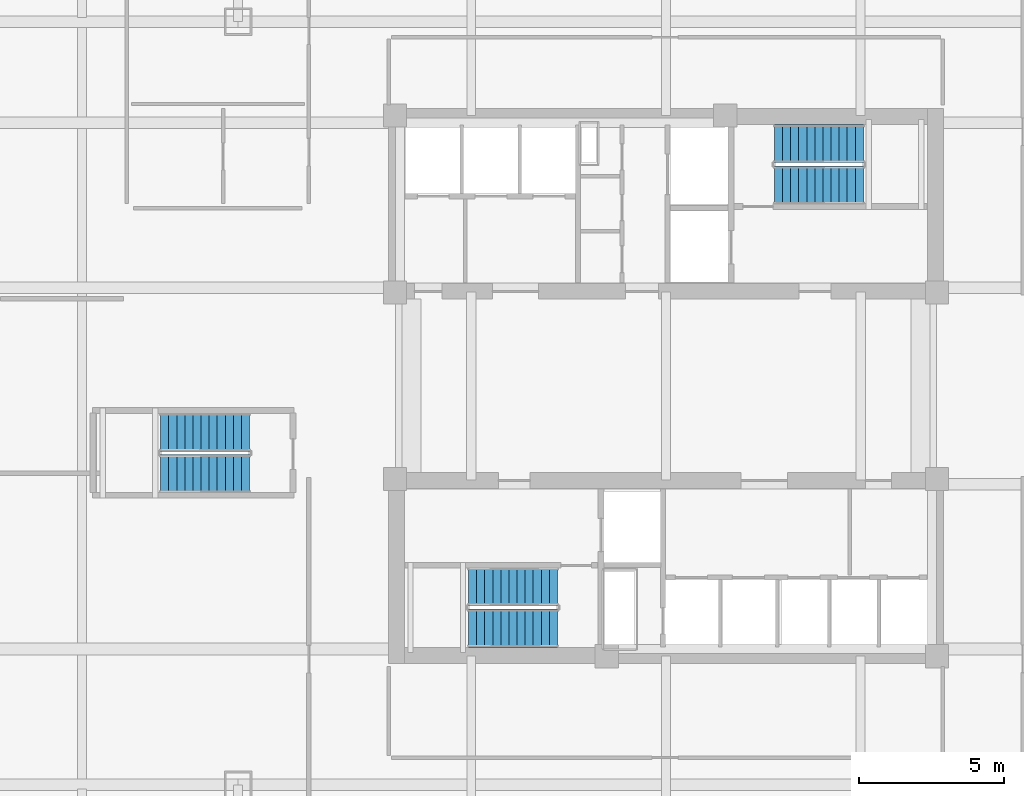
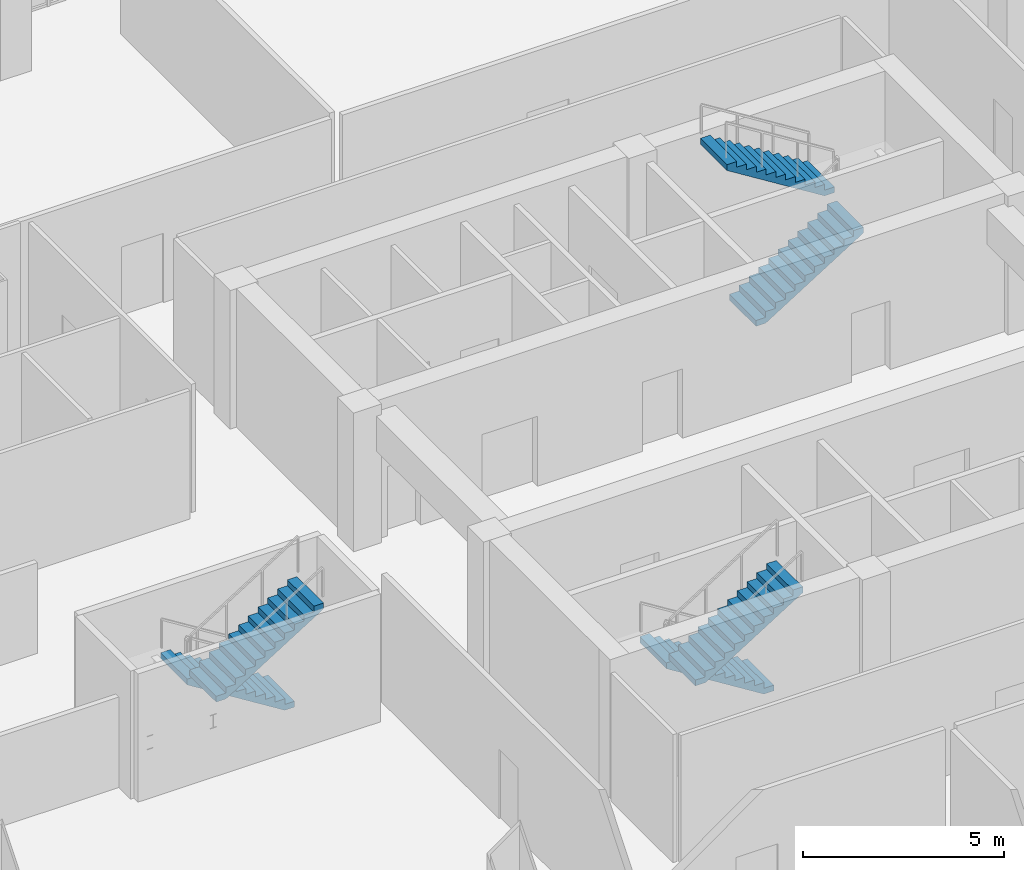
# One storey, part 15 of 21: 6 stair flights, 3 elements without a shape of their own.
"""IFC4 building model written with IfcOpenShell, lengths in metres."""

from ifc_helpers import new_model, si_unit, direction, frame, origin, place, context, subcontext, project, spatial, polyline, outline, extrude, material, type_object, element, aggregate, save


model = new_model("IFC4")

# Units and contexts
model_context = context("Model", 3, precision=1e-05, world=origin(), true_north=direction((0.0, 1.0)))
body_context = subcontext(model_context, "Body", "Model", "MODEL_VIEW")
ifc_project = project(units=[si_unit("LENGTHUNIT", "METRE"), si_unit("AREAUNIT", "SQUARE_METRE"), si_unit("VOLUMEUNIT", "CUBIC_METRE"), si_unit("PLANEANGLEUNIT", "RADIAN"), si_unit("MASSUNIT", "GRAM", prefix="KILO")], contexts=[model_context])

# Site, building, storey
site_placement = place(None, origin())
site = spatial("IfcSite", under=ifc_project, at=site_placement, CompositionType="ELEMENT")
building_placement = place(site_placement, origin())
building = spatial("IfcBuilding", under=site, at=building_placement, Name="Qhalaya Broadcast Tower", CompositionType="ELEMENT")
storey_placement = place(building_placement, frame((0.0, 0.0, 5.10009765625)))
storey = spatial("IfcBuildingStorey", under=building, at=storey_placement, Name="L01", CompositionType="ELEMENT", Elevation=5.10009765625)

# Stair, stair flights
ifc_material_1 = material(Name="Concrete C40/50", Category="concrete")
stair_type = type_object("IfcStairType", Name="Protected Dogleg Core Stair 4200", PredefinedType="TWO_STRAIGHT_RUN_STAIR", material=ifc_material_1)
stair_1_placement = place(storey_placement, origin())
stair_1 = element("IfcStair", 1, at=stair_1_placement, inside=storey, type_object=stair_type, Name="L01 North Core Exit Stair ST-1", PredefinedType="TWO_STRAIGHT_RUN_STAIR")
ifc_material_2 = material(Name="Precast Concrete C40/50", Category="concrete")
stair_flight_type = type_object("IfcStairFlightType", Name="Precast Concrete Stair Flight 4200", PredefinedType="STRAIGHT", material=ifc_material_2)
stair_flight_1_placement = place(storey_placement, frame((3.75, 7.5400390625, 0.0), z_axis=(0.0, 0.0, 1.0), x_axis=(1.0, 0.0, 0.0)))
stair_flight_1 = element("IfcStairFlight", 2, at=stair_flight_1_placement, type_object=stair_flight_type, Name="ST-1 flight 1", NumberOfRisers=12, NumberOfTreads=11, PredefinedType="STRAIGHT", RiserHeight=0.175, TreadLength=0.28, context=body_context, shape_type="SweptSolid", body=[
    extrude(outline(polyline([(0.0, 0.0), (0.0, 0.175048828125), (0.280029296875, 0.175048828125), (0.280029296875, 0.35009765625), (0.56005859375, 0.35009765625), (0.56005859375, 0.52490234375), (0.840087890625, 0.52490234375), (0.840087890625, 0.699951171875), (1.1201171875, 0.699951171875), (1.1201171875, 0.875), (1.39990234375, 0.875), (1.39990234375, 1.050048828125), (1.679931640625, 1.050048828125), (1.679931640625, 1.22509765625), (1.9599609375, 1.22509765625), (1.9599609375, 1.39990234375), (2.239990234375, 1.39990234375), (2.239990234375, 1.574951171875), (2.52001953125, 1.574951171875), (2.52001953125, 1.75), (2.800048828125, 1.75), (2.800048828125, 1.925048828125), (3.080078125, 1.925048828125), (3.080078125, 2.10009765625), (3.080078125, 1.748291015625), (0.28271484375, 0.0), (0.0, 0.0)])), frame((0.0, 0.66015625, 0.0), z_axis=(0.0, -1.0, 0.0), x_axis=(1.0, 0.0, 0.0)), (0.0, 0.0, 1.0), 1.320068359375),
])
stair_flight_2_placement = place(storey_placement, frame((6.830078125, 8.97998046875, 2.099853515625), z_axis=(0.0, 0.0, 1.0), x_axis=(-1.0, 0.0, 0.0)))
stair_flight_2 = element("IfcStairFlight", 3, at=stair_flight_2_placement, type_object=stair_flight_type, Name="ST-1 flight 2", NumberOfRisers=12, NumberOfTreads=11, PredefinedType="STRAIGHT", RiserHeight=0.175, TreadLength=0.28, context=body_context, shape_type="SweptSolid", body=[
    extrude(outline(polyline([(0.0, 0.0), (0.0, 0.175048828125), (0.280029296875, 0.175048828125), (0.280029296875, 0.35009765625), (0.56005859375, 0.35009765625), (0.56005859375, 0.52490234375), (0.840087890625, 0.52490234375), (0.840087890625, 0.699951171875), (1.1201171875, 0.699951171875), (1.1201171875, 0.875), (1.39990234375, 0.875), (1.39990234375, 1.050048828125), (1.679931640625, 1.050048828125), (1.679931640625, 1.22509765625), (1.9599609375, 1.22509765625), (1.9599609375, 1.39990234375), (2.239990234375, 1.39990234375), (2.239990234375, 1.574951171875), (2.52001953125, 1.574951171875), (2.52001953125, 1.75), (2.800048828125, 1.75), (2.800048828125, 1.925048828125), (3.080078125, 1.925048828125), (3.080078125, 2.10009765625), (3.080078125, 1.748291015625), (0.28271484375, 0.0), (0.0, 0.0)])), frame((0.0, 0.66015625, 0.0), z_axis=(0.0, -1.0, 0.0), x_axis=(1.0, 0.0, 0.0)), (0.0, 0.0, 1.0), 1.320068359375),
])
aggregate(stair_1, [stair_flight_1, stair_flight_2])

stair_2_placement = place(storey_placement, origin())
stair_2 = element("IfcStair", 4, at=stair_2_placement, inside=storey, type_object=stair_type, Name="L01 South Core Exit Stair ST-2", PredefinedType="TWO_STRAIGHT_RUN_STAIR")
stair_flight_3_placement = place(storey_placement, frame((-3.75, -6.340087890625, 0.0), z_axis=(0.0, 0.0, 1.0), x_axis=(-1.0, 0.0, 0.0)))
stair_flight_3 = element("IfcStairFlight", 5, at=stair_flight_3_placement, type_object=stair_flight_type, Name="ST-2 flight 1", NumberOfRisers=12, NumberOfTreads=11, PredefinedType="STRAIGHT", RiserHeight=0.175, TreadLength=0.28, context=body_context, shape_type="SweptSolid", body=[
    extrude(outline(polyline([(0.0, 0.0), (0.0, 0.175048828125), (0.280029296875, 0.175048828125), (0.280029296875, 0.35009765625), (0.56005859375, 0.35009765625), (0.56005859375, 0.52490234375), (0.840087890625, 0.52490234375), (0.840087890625, 0.699951171875), (1.1201171875, 0.699951171875), (1.1201171875, 0.875), (1.39990234375, 0.875), (1.39990234375, 1.050048828125), (1.679931640625, 1.050048828125), (1.679931640625, 1.22509765625), (1.9599609375, 1.22509765625), (1.9599609375, 1.39990234375), (2.239990234375, 1.39990234375), (2.239990234375, 1.574951171875), (2.52001953125, 1.574951171875), (2.52001953125, 1.75), (2.800048828125, 1.75), (2.800048828125, 1.925048828125), (3.080078125, 1.925048828125), (3.080078125, 2.10009765625), (3.080078125, 1.748291015625), (0.28271484375, 0.0), (0.0, 0.0)])), frame((0.0, 0.66015625, 0.0), z_axis=(0.0, -1.0, 0.0), x_axis=(1.0, 0.0, 0.0)), (0.0, 0.0, 1.0), 1.320068359375),
])
stair_flight_4_placement = place(storey_placement, frame((-6.830078125, -7.780029296875, 2.099853515625), z_axis=(0.0, 0.0, 1.0), x_axis=(1.0, 0.0, 0.0)))
stair_flight_4 = element("IfcStairFlight", 6, at=stair_flight_4_placement, type_object=stair_flight_type, Name="ST-2 flight 2", NumberOfRisers=12, NumberOfTreads=11, PredefinedType="STRAIGHT", RiserHeight=0.175, TreadLength=0.28, context=body_context, shape_type="SweptSolid", body=[
    extrude(outline(polyline([(0.0, 0.0), (0.0, 0.175048828125), (0.280029296875, 0.175048828125), (0.280029296875, 0.35009765625), (0.56005859375, 0.35009765625), (0.56005859375, 0.52490234375), (0.840087890625, 0.52490234375), (0.840087890625, 0.699951171875), (1.1201171875, 0.699951171875), (1.1201171875, 0.875), (1.39990234375, 0.875), (1.39990234375, 1.050048828125), (1.679931640625, 1.050048828125), (1.679931640625, 1.22509765625), (1.9599609375, 1.22509765625), (1.9599609375, 1.39990234375), (2.239990234375, 1.39990234375), (2.239990234375, 1.574951171875), (2.52001953125, 1.574951171875), (2.52001953125, 1.75), (2.800048828125, 1.75), (2.800048828125, 1.925048828125), (3.080078125, 1.925048828125), (3.080078125, 2.10009765625), (3.080078125, 1.748291015625), (0.28271484375, 0.0), (0.0, 0.0)])), frame((0.0, 0.66015625, 0.0), z_axis=(0.0, -1.0, 0.0), x_axis=(1.0, 0.0, 0.0)), (0.0, 0.0, 1.0), 1.320068359375),
])
aggregate(stair_2, [stair_flight_3, stair_flight_4])

stair_3_placement = place(storey_placement, origin())
stair_3 = element("IfcStair", 7, at=stair_3_placement, inside=storey, type_object=stair_type, Name="L01 Podium West Escape Stair ST-P1", PredefinedType="TWO_STRAIGHT_RUN_STAIR")
stair_flight_5_placement = place(storey_placement, frame((-14.39990234375, -1.0, 0.0), z_axis=(0.0, 0.0, 1.0), x_axis=(-1.0, 0.0, 0.0)))
stair_flight_5 = element("IfcStairFlight", 8, at=stair_flight_5_placement, type_object=stair_flight_type, Name="ST-P1 flight 1", NumberOfRisers=12, NumberOfTreads=11, PredefinedType="STRAIGHT", RiserHeight=0.175, TreadLength=0.28, context=body_context, shape_type="SweptSolid", body=[
    extrude(outline(polyline([(0.0, 0.0), (0.0, 0.175048828125), (0.280029296875, 0.175048828125), (0.280029296875, 0.35009765625), (0.56005859375, 0.35009765625), (0.56005859375, 0.52490234375), (0.840087890625, 0.52490234375), (0.840087890625, 0.699951171875), (1.1201171875, 0.699951171875), (1.1201171875, 0.875), (1.39990234375, 0.875), (1.39990234375, 1.050048828125), (1.679931640625, 1.050048828125), (1.679931640625, 1.22509765625), (1.9599609375, 1.22509765625), (1.9599609375, 1.39990234375), (2.239990234375, 1.39990234375), (2.239990234375, 1.574951171875), (2.52001953125, 1.574951171875), (2.52001953125, 1.75), (2.800048828125, 1.75), (2.800048828125, 1.925048828125), (3.080078125, 1.925048828125), (3.080078125, 2.10009765625), (3.080078125, 1.748291015625), (0.28271484375, 0.0), (0.0, 0.0)])), frame((0.0, 0.66015625, 0.0), z_axis=(0.0, -1.0, 0.0), x_axis=(1.0, 0.0, 0.0)), (0.0, 0.0, 1.0), 1.320068359375),
])
stair_flight_6_placement = place(storey_placement, frame((-17.47998046875, -2.43994140625, 2.099853515625), z_axis=(0.0, 0.0, 1.0), x_axis=(1.0, 0.0, 0.0)))
stair_flight_6 = element("IfcStairFlight", 9, at=stair_flight_6_placement, type_object=stair_flight_type, Name="ST-P1 flight 2", NumberOfRisers=12, NumberOfTreads=11, PredefinedType="STRAIGHT", RiserHeight=0.175, TreadLength=0.28, context=body_context, shape_type="SweptSolid", body=[
    extrude(outline(polyline([(0.0, 0.0), (0.0, 0.175048828125), (0.280029296875, 0.175048828125), (0.280029296875, 0.35009765625), (0.56005859375, 0.35009765625), (0.56005859375, 0.52490234375), (0.840087890625, 0.52490234375), (0.840087890625, 0.699951171875), (1.1201171875, 0.699951171875), (1.1201171875, 0.875), (1.39990234375, 0.875), (1.39990234375, 1.050048828125), (1.679931640625, 1.050048828125), (1.679931640625, 1.22509765625), (1.9599609375, 1.22509765625), (1.9599609375, 1.39990234375), (2.239990234375, 1.39990234375), (2.239990234375, 1.574951171875), (2.52001953125, 1.574951171875), (2.52001953125, 1.75), (2.800048828125, 1.75), (2.800048828125, 1.925048828125), (3.080078125, 1.925048828125), (3.080078125, 2.10009765625), (3.080078125, 1.748291015625), (0.28271484375, 0.0), (0.0, 0.0)])), frame((0.0, 0.66015625, 0.0), z_axis=(0.0, -1.0, 0.0), x_axis=(1.0, 0.0, 0.0)), (0.0, 0.0, 1.0), 1.320068359375),
])
aggregate(stair_3, [stair_flight_5, stair_flight_6])

save(model, "model.ifc")
